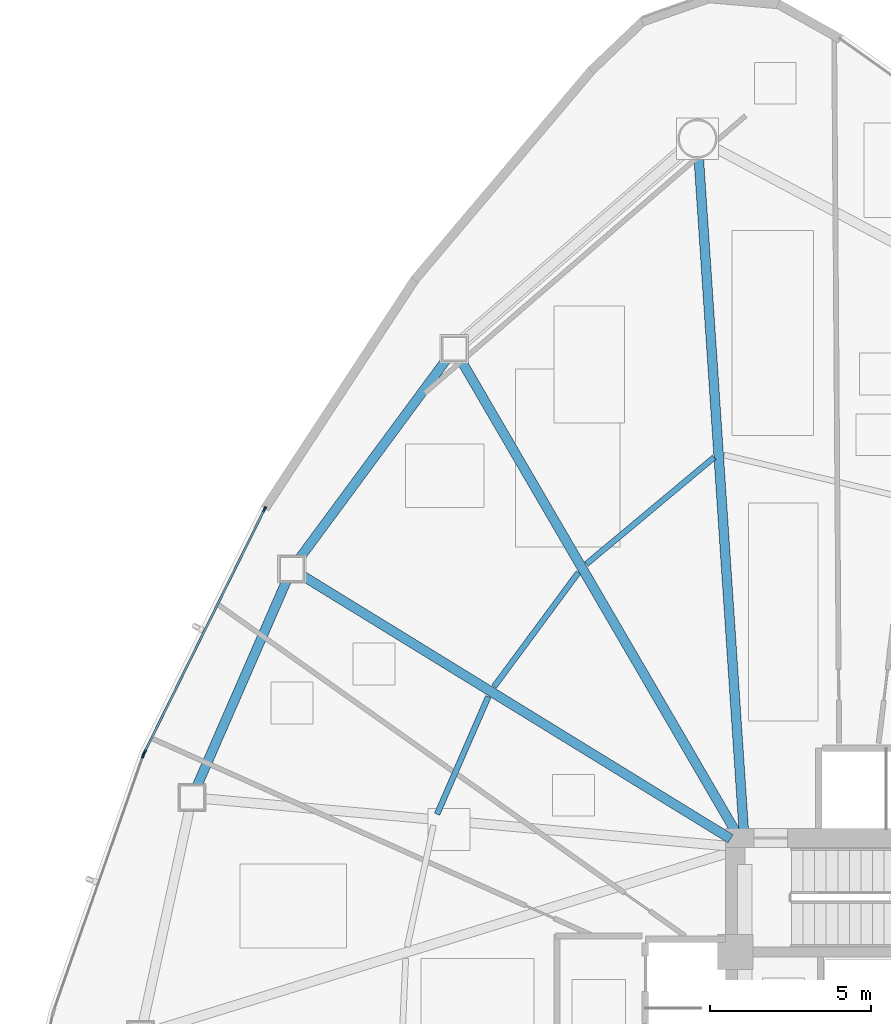
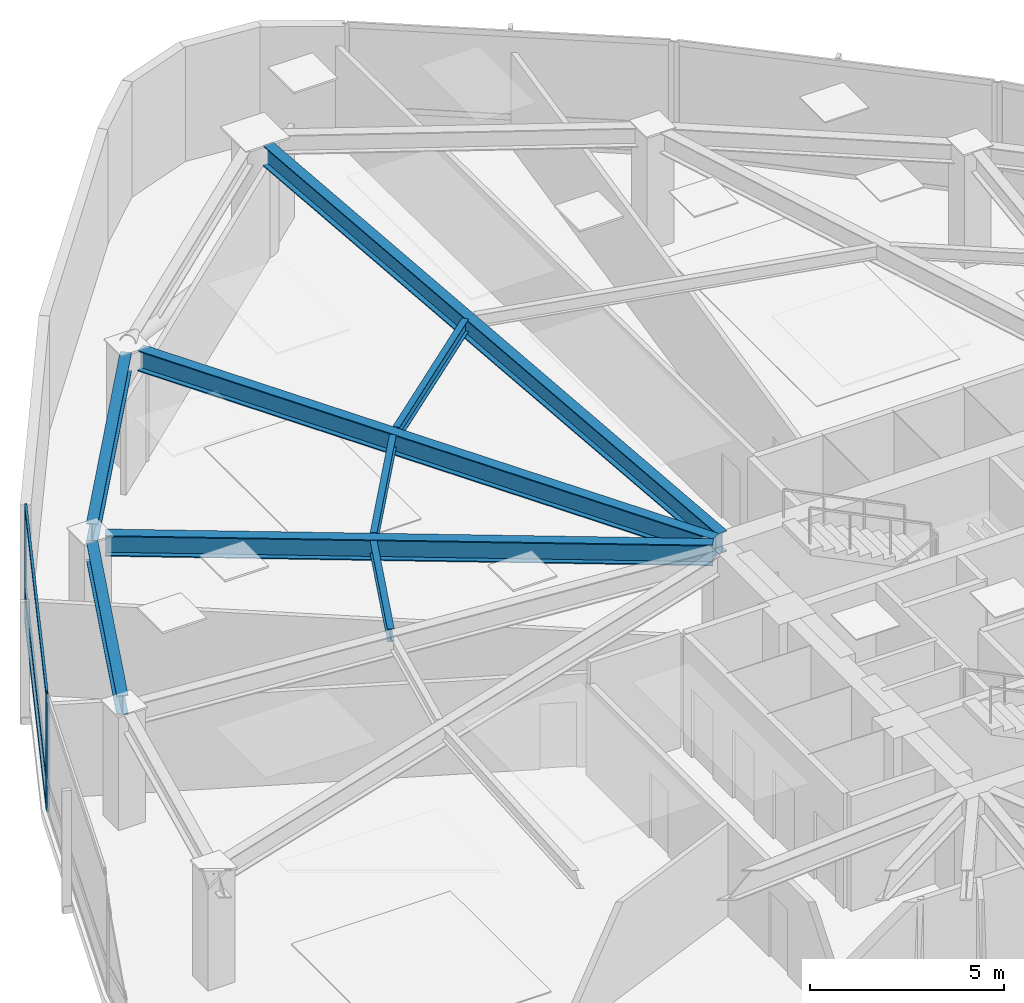
# One storey, part 8 of 18: 8 beams, 6 members, 2 elements without a shape of their own.
"""IFC4 building model written with IfcOpenShell, lengths in metres."""

from ifc_helpers import new_model, si_unit, direction, frame, origin, origin_2d, place, context, subcontext, project, spatial, hollow_rectangle, i_section, extrude, source, transform, mapped, material, layer, layer_set, material_profile, profile_set, type_object, type_shapes, element, aggregate, save


model = new_model("IFC4")

# Units and contexts
model_context = context("Model", 3, precision=1e-05, world=origin(), true_north=direction((0.0, 1.0)))
body_context = subcontext(model_context, "Body", "Model", "MODEL_VIEW")
ifc_project = project(units=[si_unit("LENGTHUNIT", "METRE"), si_unit("AREAUNIT", "SQUARE_METRE"), si_unit("VOLUMEUNIT", "CUBIC_METRE"), si_unit("PLANEANGLEUNIT", "RADIAN"), si_unit("MASSUNIT", "GRAM", prefix="KILO")], contexts=[model_context])

# Site, building, storey
site_placement = place(None, origin())
site = spatial("IfcSite", under=ifc_project, at=site_placement, CompositionType="ELEMENT")
building_placement = place(site_placement, origin())
building = spatial("IfcBuilding", under=site, at=building_placement, Name="Tavelor Broadcast Tower", CompositionType="ELEMENT")
storey_placement = place(building_placement, frame((0.0, 0.0, 54.89990234375)))
storey = spatial("IfcBuildingStorey", under=building, at=storey_placement, Name="L12", CompositionType="ELEMENT", Elevation=54.89990234375)

# Beams
ifc_material_1 = material(Name="Steel S355", Category="steel")
ifc_material_profile_1 = material_profile(ifc_material_1, i_section(OverallWidth=0.179931640625, OverallDepth=0.39990234375, WebThickness=0.008544921875, FlangeThickness=0.013427734375, at=origin_2d()), Name="IPE 400")
ifc_profile_set_1 = profile_set([ifc_material_profile_1], Name="Steel S355")
beam_type_1 = type_object("IfcBeamType", Name="Composite Floor Joist T1 IPE 400", PredefinedType="JOIST", material=ifc_profile_set_1)
beam_1_placement = place(storey_placement, frame((42.4404296875, 63.345947265625, 3.400146484375), z_axis=(-0.767560074089, -0.640977014146, 0.0), x_axis=(0.640977014146, -0.767560074089, 0.0)))
element("IfcBeam", 1, at=beam_1_placement, inside=storey, type_object=beam_type_1, Name="L12 Secondary Composite Floor Joist 01", PredefinedType="JOIST", context=body_context, shape_type="SweptSolid", body=[
    extrude(i_section(OverallWidth=0.179931640625, OverallDepth=0.39990234375, WebThickness=0.008544921875, FlangeThickness=0.013427734375, at=origin_2d()), origin(), (0.0, 0.0, 1.0), 5.178466796875),
])
beam_2_placement = place(storey_placement, frame((38.218994140625, 59.764892578125, 3.400146484375), z_axis=(-0.594310286319, -0.804235838281, 0.0), x_axis=(0.804235838281, -0.594310286319, 0.0)))
element("IfcBeam", 2, at=beam_2_placement, inside=storey, type_object=beam_type_1, Name="L12 Secondary Composite Floor Joist 02", PredefinedType="JOIST", context=body_context, shape_type="SweptSolid", body=[
    extrude(i_section(OverallWidth=0.179931640625, OverallDepth=0.39990234375, WebThickness=0.008544921875, FlangeThickness=0.013427734375, at=origin_2d()), origin(), (0.0, 0.0, 1.0), 4.41943359375),
])
beam_3_placement = place(storey_placement, frame((35.41259765625, 55.899169921875, 3.400146484375), z_axis=(-0.399676346619, -0.916656324886, 0.0), x_axis=(0.916656324886, -0.399676346619, 0.0)))
element("IfcBeam", 3, at=beam_3_placement, inside=storey, type_object=beam_type_1, Name="L12 Secondary Composite Floor Joist 03", PredefinedType="JOIST", context=body_context, shape_type="SweptSolid", body=[
    extrude(i_section(OverallWidth=0.179931640625, OverallDepth=0.39990234375, WebThickness=0.008544921875, FlangeThickness=0.013427734375, at=origin_2d()), origin(), (0.0, 0.0, 1.0), 3.991943359375),
])
ifc_material_profile_2 = material_profile(ifc_material_1, i_section(OverallWidth=0.300048828125, OverallDepth=0.60009765625, WebThickness=0.015380859375, FlangeThickness=0.030029296875, at=origin_2d()), Name="HEB 600")
ifc_profile_set_2 = profile_set([ifc_material_profile_2], Name="Steel S355")
beam_type_2 = type_object("IfcBeamType", Name="Perimeter Spandrel Beam T1 HEB 600", PredefinedType="SPANDREL", material=ifc_profile_set_2)
beam_4_placement = place(storey_placement, frame((34.1279296875, 66.4189453125, 3.300048828125), z_axis=(-0.59410601814, -0.804386747286, 0.0), x_axis=(0.804386747286, -0.59410601814, 0.0)))
element("IfcBeam", 4, at=beam_4_placement, inside=storey, type_object=beam_type_2, Name="L12 Framed-Tube Ring Spandrel 02", PredefinedType="SPANDREL", context=body_context, shape_type="SweptSolid", body=[
    extrude(i_section(OverallWidth=0.300048828125, OverallDepth=0.60009765625, WebThickness=0.015380859375, FlangeThickness=0.030029296875, at=origin_2d()), origin(), (0.0, 0.0, 1.0), 7.755615234375),
])
beam_5_placement = place(storey_placement, frame((29.138671875, 59.51953125, 3.300048828125), z_axis=(-0.399831402863, -0.916588702355, 0.0), x_axis=(0.916588702355, -0.399831402863, 0.0)))
element("IfcBeam", 5, at=beam_5_placement, inside=storey, type_object=beam_type_2, Name="L12 Framed-Tube Ring Spandrel 03", PredefinedType="SPANDREL", context=body_context, shape_type="SweptSolid", body=[
    extrude(i_section(OverallWidth=0.300048828125, OverallDepth=0.60009765625, WebThickness=0.015380859375, FlangeThickness=0.030029296875, at=origin_2d()), origin(), (0.0, 0.0, 1.0), 6.99267578125),
])
ifc_material_profile_3 = material_profile(ifc_material_1, i_section(OverallWidth=0.300048828125, OverallDepth=0.64990234375, WebThickness=0.01611328125, FlangeThickness=0.031005859375, at=origin_2d()), Name="HEB 650")
ifc_profile_set_3 = profile_set([ifc_material_profile_3], Name="Steel S355")
beam_type_3 = type_object("IfcBeamType", Name="Radial Floor Girder T1 HEB 650", PredefinedType="BEAM", material=ifc_profile_set_3)
beam_6_placement = place(storey_placement, frame((43.36474609375, 51.726806640625, 3.275146484375), z_axis=(-0.066781325407, 0.997767635563, 0.0), x_axis=(-0.997767635563, -0.066781325407, 0.0)))
element("IfcBeam", 6, at=beam_6_placement, inside=storey, type_object=beam_type_3, Name="L12 Radial Primary Floor Girder 01", PredefinedType="BEAM", context=body_context, shape_type="SweptSolid", body=[
    extrude(i_section(OverallWidth=0.300048828125, OverallDepth=0.64990234375, WebThickness=0.01611328125, FlangeThickness=0.031005859375, at=origin_2d()), origin(), (0.0, 0.0, 1.0), 21.002685546875),
])
beam_7_placement = place(storey_placement, frame((43.13427734375, 51.65625, 3.275146484375), z_axis=(-0.503292471027, 0.864116131436, 0.0), x_axis=(-0.864116131436, -0.503292471027, 0.0)))
element("IfcBeam", 7, at=beam_7_placement, inside=storey, type_object=beam_type_3, Name="L12 Radial Primary Floor Girder 02", PredefinedType="BEAM", context=body_context, shape_type="SweptSolid", body=[
    extrude(i_section(OverallWidth=0.300048828125, OverallDepth=0.64990234375, WebThickness=0.01611328125, FlangeThickness=0.031005859375, at=origin_2d()), origin(), (0.0, 0.0, 1.0), 17.0576171875),
])
beam_8_placement = place(storey_placement, frame((42.9501953125, 51.4765625, 3.275146484375), z_axis=(-0.851935691671, 0.523646423894, 0.0), x_axis=(-0.523646423894, -0.851935691671, 0.0)))
element("IfcBeam", 8, at=beam_8_placement, inside=storey, type_object=beam_type_3, Name="L12 Radial Primary Floor Girder 03", PredefinedType="BEAM", context=body_context, shape_type="SweptSolid", body=[
    extrude(i_section(OverallWidth=0.300048828125, OverallDepth=0.64990234375, WebThickness=0.01611328125, FlangeThickness=0.031005859375, at=origin_2d()), origin(), (0.0, 0.0, 1.0), 15.647705078125),
])

# Curtain wall, members
ifc_material_2 = material(Name="Architectural Anodized Aluminium", Category="aluminium")
ifc_layer = layer(ifc_material_2, 0.179931640625)
ifc_layer_set = layer_set([ifc_layer], Name="Architectural Anodized Aluminium")
curtain_wall_type = type_object("IfcCurtainWallType", Name="Tower Low-Zone Unitised Curtain Wall CW02", PredefinedType="NOTDEFINED", material=ifc_layer_set)
curtain_wall_1_placement = place(storey_placement, origin())
curtain_wall_1 = element("IfcCurtainWall", 9, at=curtain_wall_1_placement, inside=storey, type_object=curtain_wall_type, Name="L12 Curtain Wall CW02 Run 97", PredefinedType="NOTDEFINED")
ifc_material_profile_4 = material_profile(ifc_material_2, hollow_rectangle(XDim=0.06494140625, YDim=0.179931640625, WallThickness=0.02197265625, at=origin_2d()), Name="RHS 65x180x22")
ifc_profile_set_4 = profile_set([ifc_material_profile_4], Name="Architectural Anodized Aluminium")
member_type_1 = type_object("IfcMemberType", Name="CW02 Extruded Aluminium Mullion 65x180", PredefinedType="MULLION", material=ifc_profile_set_4)
shared_shape_1 = source(origin(), body_context, "Body", "SweptSolid", [
    extrude(hollow_rectangle(XDim=0.06494140625, YDim=0.179931640625, WallThickness=0.02197265625, at=origin_2d()), origin(), (0.0, 0.0, 1.0), 3.60009765625),
])
type_shapes(member_type_1, [shared_shape_1])
member_1_placement = place(storey_placement, frame((28.44775390625, 61.732666015625, 0.0), z_axis=(0.0, 0.0, 1.0), x_axis=(0.896674233169, -0.442690997843, 0.0)))
member_1 = element("IfcMember", 10, at=member_1_placement, type_object=member_type_1, Name="CW02 mullion 1", PredefinedType="MULLION", context=body_context, shape_type="MappedRepresentation", body=[
    mapped(shared_shape_1, transform((0.0, 0.0, 0.0), scale=1.0)),
])
member_2_placement = place(storey_placement, frame((24.712890625, 54.167724609375, 0.0), z_axis=(0.0, 0.0, 1.0), x_axis=(0.896674233169, -0.442690997843, 0.0)))
member_2 = element("IfcMember", 11, at=member_2_placement, type_object=member_type_1, Name="CW02 mullion 2", PredefinedType="MULLION", context=body_context, shape_type="MappedRepresentation", body=[
    mapped(shared_shape_1, transform((0.0, 0.0, 0.0), scale=1.0)),
])

# Curtain wall, member
curtain_wall_2_placement = place(storey_placement, origin())
curtain_wall_2 = element("IfcCurtainWall", 12, at=curtain_wall_2_placement, inside=storey, type_object=curtain_wall_type, Name="L12 Curtain Wall CW02 Run 98", PredefinedType="NOTDEFINED")
member_3_placement = place(storey_placement, frame((24.67626953125, 54.080322265625, 0.0), z_axis=(0.0, 0.0, 1.0), x_axis=(0.943661256403, -0.330913029609, 0.0)))
member_3 = element("IfcMember", 13, at=member_3_placement, type_object=member_type_1, Name="CW02 mullion 1", PredefinedType="MULLION", context=body_context, shape_type="MappedRepresentation", body=[
    mapped(shared_shape_1, transform((0.0, 0.0, 0.0), scale=1.0)),
])
aggregate(curtain_wall_2, [member_3])

# Member
ifc_material_profile_5 = material_profile(ifc_material_2, hollow_rectangle(XDim=0.06494140625, YDim=0.179931640625, WallThickness=0.02197265625, at=origin_2d()), Name="RHS 65x180x22")
ifc_profile_set_5 = profile_set([ifc_material_profile_5], Name="Architectural Anodized Aluminium")
member_type_2 = type_object("IfcMemberType", Name="CW02 Extruded Aluminium Transom 65x180", PredefinedType="USERDEFINED", material=ifc_profile_set_5)
shared_shape_2 = source(origin(), body_context, "Body", "SweptSolid", [
    extrude(hollow_rectangle(XDim=0.06494140625, YDim=0.179931640625, WallThickness=0.02197265625, at=origin_2d()), origin(), (0.0, 0.0, 1.0), 8.371337890625),
])
type_shapes(member_type_2, [shared_shape_2])
member_4_placement = place(storey_placement, frame((28.433349609375, 61.703369140625, 0.03271484375), z_axis=(-0.442705052025, -0.896667294436, 0.0), x_axis=(0.896667294436, -0.442705052025, 0.0)))
member_4 = element("IfcMember", 14, at=member_4_placement, type_object=member_type_2, Name="CW02 transom 1.1", ObjectType="TRANSOM", PredefinedType="USERDEFINED", context=body_context, shape_type="MappedRepresentation", body=[
    mapped(shared_shape_2, transform((0.0, 0.0, 0.0), scale=1.0)),
])

member_5_placement = place(storey_placement, frame((28.433349609375, 61.703369140625, 0.9501953125), z_axis=(-0.442705052025, -0.896667294436, 0.0), x_axis=(0.896667294436, -0.442705052025, 0.0)))
member_5 = element("IfcMember", 15, at=member_5_placement, type_object=member_type_2, Name="CW02 transom 1.2", ObjectType="TRANSOM", PredefinedType="USERDEFINED", context=body_context, shape_type="MappedRepresentation", body=[
    mapped(shared_shape_2, transform((0.0, 0.0, 0.0), scale=1.0)),
])

member_6_placement = place(storey_placement, frame((28.433349609375, 61.703369140625, 3.567626953125), z_axis=(-0.442705052025, -0.896667294436, 0.0), x_axis=(0.896667294436, -0.442705052025, 0.0)))
member_6 = element("IfcMember", 16, at=member_6_placement, type_object=member_type_2, Name="CW02 transom 1.3", ObjectType="TRANSOM", PredefinedType="USERDEFINED", context=body_context, shape_type="MappedRepresentation", body=[
    mapped(shared_shape_2, transform((0.0, 0.0, 0.0), scale=1.0)),
])

aggregate(curtain_wall_1, [member_1, member_2, member_4, member_5, member_6])

save(model, "model.ifc")
